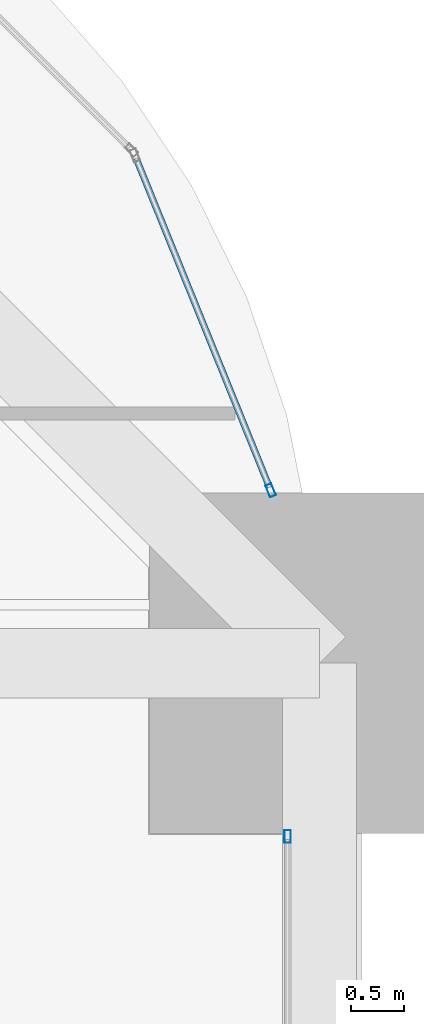
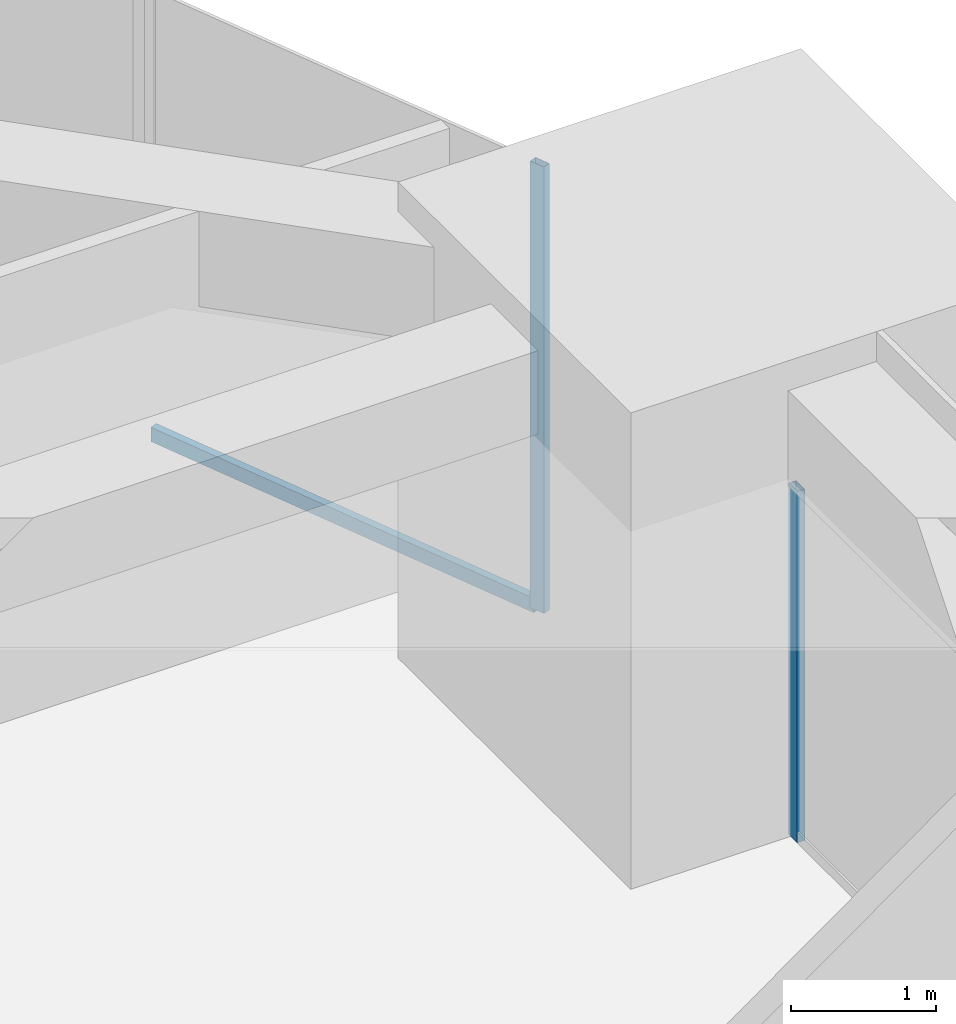
# One storey, part 34 of 40: 3 members, 2 elements without a shape of their own.
"""IFC4 building model written with IfcOpenShell, lengths in metres."""

import ifcopenshell
import ifcopenshell.guid

model = None  # the IFC model being written
_history = None  # IfcOwnerHistory: only IFC2X3 demands one
_inside = {}  # id of a spatial element -> (the spatial element, [elements in it])
_under = {}  # id of a project, library or spatial element -> (it, [spatial elements below it])
_declared = {}  # id of a project -> (the project, [libraries it declares])
_typed = {}  # id of a type object -> (the type object, [elements of that type])
_made_of = {}  # id of a material, layer set ... -> (it, [elements and type objects made of it])


def new_model(schema):
    """Start an empty IFC model of exactly this schema.

    Asked for "IFC4X3", IfcOpenShell would pick the latest addendum, in which some entities
    have other attributes; the version numbers below select the first issue.
    IFC2X3 requires an IfcOwnerHistory on every rooted entity: one is made here for all.
    """
    global model, _history
    if schema == "IFC4X3":
        model = ifcopenshell.file(schema_version=(4, 3, 0, 0))
    else:
        model = ifcopenshell.file(schema=schema)
    _inside.clear()
    _under.clear()
    _declared.clear()
    _typed.clear()
    _made_of.clear()
    _history = None
    if model.schema == "IFC2X3":
        org = make("IfcOrganization", Name="unknown")
        user = make(
            "IfcPersonAndOrganization",
            ThePerson=make("IfcPerson", FamilyName="unknown"),
            TheOrganization=org,
        )
        app = make(
            "IfcApplication",
            ApplicationDeveloper=org,
            Version="unknown",
            ApplicationFullName="unknown",
            ApplicationIdentifier="unknown",
        )
        _history = make(
            "IfcOwnerHistory",
            OwningUser=user,
            OwningApplication=app,
            ChangeAction="ADDED",
            CreationDate=0,
        )
    return model


def make(cls, **values):
    """One entity of the class cls with the attributes given. An attribute that is None is left unset."""
    return model.create_entity(
        cls, **{name: value for name, value in values.items() if value is not None}
    )


def rooted(cls, **values):
    """An entity with a GlobalId (a new one), such as an element, a storey or a relation."""
    return make(cls, GlobalId=ifcopenshell.guid.new(), OwnerHistory=_history, **values)


def si_unit(unit_type, name, prefix=None):
    """IfcSIUnit, for example si_unit("LENGTHUNIT", "METRE", prefix="MILLI")."""
    return make("IfcSIUnit", UnitType=unit_type, Prefix=prefix, Name=name)


def assignment(units):
    """IfcUnitAssignment: the units of a project."""
    return None if units is None else make("IfcUnitAssignment", Units=units)


def point(xyz):
    """IfcCartesianPoint."""
    return None if xyz is None else make("IfcCartesianPoint", Coordinates=xyz)


def direction(xyz):
    """IfcDirection."""
    return None if xyz is None else make("IfcDirection", DirectionRatios=xyz)


def frame(location, z_axis=None, x_axis=None):
    """IfcAxis2Placement3D, a coordinate frame: its origin and axes. An axis left out is left unset."""
    return make(
        "IfcAxis2Placement3D",
        Location=point(location),
        Axis=direction(z_axis),
        RefDirection=direction(x_axis),
    )


def frame_2d(location, x_axis=None):
    """IfcAxis2Placement2D, a coordinate frame in the plane: its origin and x axis."""
    return make(
        "IfcAxis2Placement2D", Location=point(location), RefDirection=direction(x_axis)
    )


def origin():
    """The frame at (0, 0, 0) with its axes left unset."""
    return frame((0.0, 0.0, 0.0))


def origin_2d():
    """The frame at (0, 0) in the plane with its x axis left unset."""
    return frame_2d((0.0, 0.0))


def place(relative_to, where):
    """IfcLocalPlacement: puts the frame where relative to a parent placement (None: the world)."""
    return make(
        "IfcLocalPlacement", PlacementRelTo=relative_to, RelativePlacement=where
    )


def context(
    kind, dimensions, precision=None, world=None, true_north=None, identifier=None
):
    """IfcGeometricRepresentationContext, for example the 3D "Model" context."""
    return make(
        "IfcGeometricRepresentationContext",
        ContextIdentifier=identifier,
        ContextType=kind,
        CoordinateSpaceDimension=dimensions,
        Precision=precision,
        WorldCoordinateSystem=world,
        TrueNorth=true_north,
    )


def subcontext(parent, identifier, kind, view, scale=None):
    """IfcGeometricRepresentationSubContext, for example "Body" below "Model"."""
    return make(
        "IfcGeometricRepresentationSubContext",
        ContextIdentifier=identifier,
        ContextType=kind,
        ParentContext=parent,
        TargetScale=scale,
        TargetView=view,
    )


def project(units=None, contexts=None):
    """IfcProject with its units and contexts."""
    return rooted(
        "IfcProject",
        Name="project",
        RepresentationContexts=contexts,
        UnitsInContext=assignment(units),
    )


def spatial(cls, under=None, at=None, **own):
    """A site, building, storey or space (cls), placed at a placement, below another one or the project."""
    s = rooted(cls, ObjectPlacement=at, **own)
    if under is not None:
        _under.setdefault(under.id(), (under, []))[1].append(s)
    return s


def profile(cls, at=None, kind="AREA", **sizes):
    """A parametric profile (cls). Its sizes go by their IFC names, for example OverallWidth=200.0."""
    return make(cls, ProfileType=kind, Position=at, **sizes)


def hollow_rectangle(**sizes):
    """IfcRectangleHollowProfileDef."""
    return profile("IfcRectangleHollowProfileDef", **sizes)


def extrude(swept, where, along, depth):
    """IfcExtrudedAreaSolid: the profile swept, set in the frame where, extruded along a direction by depth."""
    return make(
        "IfcExtrudedAreaSolid",
        SweptArea=swept,
        Position=where,
        ExtrudedDirection=direction(along),
        Depth=depth,
    )


def shape(context_of_items, identifier, shape_type, items):
    """IfcShapeRepresentation: the items that make up one representation, for example the "Body"."""
    return make(
        "IfcShapeRepresentation",
        ContextOfItems=context_of_items,
        RepresentationIdentifier=identifier,
        RepresentationType=shape_type,
        Items=items,
    )


def material(Name=None, Category=None):
    """IfcMaterial."""
    return make("IfcMaterial", Name=Name, Category=Category)


def material_profile(
    of_material, cross_section, Name=None, Category=None, Priority=None
):
    """IfcMaterialProfile: a cross section and its material."""
    return make(
        "IfcMaterialProfile",
        Name=Name,
        Material=of_material,
        Profile=cross_section,
        Priority=Priority,
        Category=Category,
    )


def profile_set(profiles, Name=None, composite=None):
    """IfcMaterialProfileSet."""
    return make(
        "IfcMaterialProfileSet",
        Name=Name,
        MaterialProfiles=profiles,
        CompositeProfile=composite,
    )


def made_of(thing, what):
    """Note that an element or type object is made of a material, layer set ...; save() writes the relation."""
    if what is not None:
        _made_of.setdefault(what.id(), (what, []))[1].append(thing)
    return thing


def type_object(cls, material=None, **own):
    """A type object (cls), such as IfcWallType, which elements share."""
    return made_of(rooted(cls, **own), material)


def element(
    cls,
    number,
    at=None,
    inside=None,
    cuts=None,
    type_object=None,
    material=None,
    context=None,
    identifier="Body",
    shape_type=None,
    held_by="IfcProductDefinitionShape",
    body=None,
    shapes=None,
    **own,
):
    """One element of the class cls, such as IfcWall. Its Tag is "e" and its number.

    at: its placement. inside: the storey or other place that contains it. cuts: it is an
    opening in that element (IfcRelVoidsElement). A single representation is given by context,
    identifier, shape_type and body (its items); several are given by shapes. held_by: the class
    of the entity that holds the representations. save() writes the other relations.
    """
    e = rooted(cls, Tag="e%d" % number, ObjectPlacement=at, **own)
    if body is not None:
        shapes = [shape(context, identifier, shape_type, body)]
    if shapes is not None:
        e.Representation = make(held_by, Representations=shapes)
    if inside is not None:
        _inside.setdefault(inside.id(), (inside, []))[1].append(e)
    if cuts is not None:
        rooted(
            "IfcRelVoidsElement", RelatingBuildingElement=cuts, RelatedOpeningElement=e
        )
    if type_object is not None:
        _typed.setdefault(type_object.id(), (type_object, []))[1].append(e)
    return made_of(e, material)


def aggregate(whole, parts):
    """IfcRelAggregates: a whole, such as a stair, and the parts it consists of."""
    return rooted("IfcRelAggregates", RelatingObject=whole, RelatedObjects=parts)


def save(model, path):
    """Write the relations noted so far, then the file.

    IfcRelAggregates (storeys below a building ...), IfcRelContainedInSpatialStructure (elements
    in a storey), IfcRelDefinesByType, IfcRelAssociatesMaterial and IfcRelDeclares: one each for
    every whole, place, type object, material and project.
    """
    for whole, parts in _under.values():
        aggregate(whole, parts)
    for where, things in _inside.values():
        rooted(
            "IfcRelContainedInSpatialStructure",
            RelatedElements=things,
            RelatingStructure=where,
        )
    for kind, things in _typed.values():
        rooted("IfcRelDefinesByType", RelatedObjects=things, RelatingType=kind)
    for what, things in _made_of.values():
        rooted("IfcRelAssociatesMaterial", RelatedObjects=things, RelatingMaterial=what)
    for by, libraries in _declared.values():
        rooted("IfcRelDeclares", RelatingContext=by, RelatedDefinitions=libraries)
    model.write(path)


model = new_model("IFC4")

# Units and contexts
model_context = context("Model", 3, precision=1e-05, world=origin(), true_north=direction((0.0, 1.0)))
body_context = subcontext(model_context, "Body", "Model", "MODEL_VIEW")
ifc_project = project(units=[si_unit("LENGTHUNIT", "METRE"), si_unit("AREAUNIT", "SQUARE_METRE"), si_unit("VOLUMEUNIT", "CUBIC_METRE"), si_unit("PLANEANGLEUNIT", "RADIAN"), si_unit("MASSUNIT", "GRAM", prefix="KILO")], contexts=[model_context])

# Site, building, storey
site_placement = place(None, origin())
site = spatial("IfcSite", under=ifc_project, at=site_placement, CompositionType="ELEMENT")
building_placement = place(site_placement, origin())
building = spatial("IfcBuilding", under=site, at=building_placement, Name="Zorevar Civic Tower", CompositionType="ELEMENT")
storey_placement = place(building_placement, frame((0.0, 0.0, 239.39990234375)))
storey = spatial("IfcBuildingStorey", under=building, at=storey_placement, Name="L58", CompositionType="ELEMENT", Elevation=239.39990234375)

# Curtain wall, member
ifc_material_1 = material(Name="Dark grey solar-control glass in black aluminium frame", Category="aluminium")
curtain_wall_type = type_object("IfcCurtainWallType", Name="Curtain wall CW5 top zone", PredefinedType="NOTDEFINED", material=ifc_material_1)
curtain_wall_1_placement = place(storey_placement, origin())
curtain_wall_1 = element("IfcCurtainWall", 1, at=curtain_wall_1_placement, inside=storey, type_object=curtain_wall_type, Name="CW5 L58", PredefinedType="NOTDEFINED")
ifc_material_2 = material(Name="Aluminium, black anodised", Category="aluminium")
ifc_material_profile_1 = material_profile(ifc_material_2, hollow_rectangle(XDim=0.06005859375, YDim=0.1201171875, WallThickness=0.0029296875, at=origin_2d()), Name="AL 120x60x3")
ifc_profile_set_1 = profile_set([ifc_material_profile_1], Name="Aluminium, black anodised")
member_type_1 = type_object("IfcMemberType", Name="CW5 mullion AL 120x60x3", PredefinedType="MULLION", material=ifc_profile_set_1)
member_1_placement = place(storey_placement, frame((53.699951171875, 34.3701171875, 0.0), z_axis=(0.0, 0.0, 1.0), x_axis=(-1.0, 0.0, 0.0)))
member_1 = element("IfcMember", 2, at=member_1_placement, type_object=member_type_1, Name="CW5 mullion 2", PredefinedType="MULLION", context=body_context, shape_type="SweptSolid", body=[
    extrude(hollow_rectangle(XDim=0.06005859375, YDim=0.1201171875, WallThickness=0.0029296875, at=origin_2d()), origin(), (0.0, 0.0, 1.0), 2.9501953125),
])
aggregate(curtain_wall_1, [member_1])

# Curtain wall, members
curtain_wall_2_placement = place(storey_placement, origin())
curtain_wall_2 = element("IfcCurtainWall", 3, at=curtain_wall_2_placement, inside=storey, type_object=curtain_wall_type, Name="CW5 L58", PredefinedType="NOTDEFINED")
member_2_placement = place(storey_placement, frame((53.540283203125, 37.627685546875, 0.0), z_axis=(0.0, 0.0, 1.0), x_axis=(-0.926761540227, -0.375650166453, 0.0)))
member_2 = element("IfcMember", 4, at=member_2_placement, type_object=member_type_1, Name="CW5 mullion 1", PredefinedType="MULLION", context=body_context, shape_type="SweptSolid", body=[
    extrude(hollow_rectangle(XDim=0.06005859375, YDim=0.1201171875, WallThickness=0.0029296875, at=origin_2d()), origin(), (0.0, 0.0, 1.0), 3.75),
])
ifc_material_3 = material(Name="Aluminium, black anodised", Category="aluminium")
ifc_material_profile_2 = material_profile(ifc_material_3, hollow_rectangle(XDim=0.06005859375, YDim=0.1201171875, WallThickness=0.0029296875, at=origin_2d()), Name="AL 120x60x3")
ifc_profile_set_2 = profile_set([ifc_material_profile_2], Name="Aluminium, black anodised")
member_type_2 = type_object("IfcMemberType", Name="CW5 transom AL 120x60x3", PredefinedType="USERDEFINED", material=ifc_profile_set_2)
member_3_placement = place(storey_placement, frame((53.529052734375, 37.655517578125, 0.030029296875), z_axis=(-0.375647407638, 0.92676265847, 0.0), x_axis=(-0.92676265847, -0.375647407638, 0.0)))
member_3 = element("IfcMember", 5, at=member_3_placement, type_object=member_type_2, Name="CW5 sill transom", ObjectType="TRANSOM", PredefinedType="USERDEFINED", context=body_context, shape_type="SweptSolid", body=[
    extrude(hollow_rectangle(XDim=0.06005859375, YDim=0.1201171875, WallThickness=0.0029296875, at=origin_2d()), origin(), (0.0, 0.0, 1.0), 3.33935546875),
])
aggregate(curtain_wall_2, [member_2, member_3])

save(model, "model.ifc")
